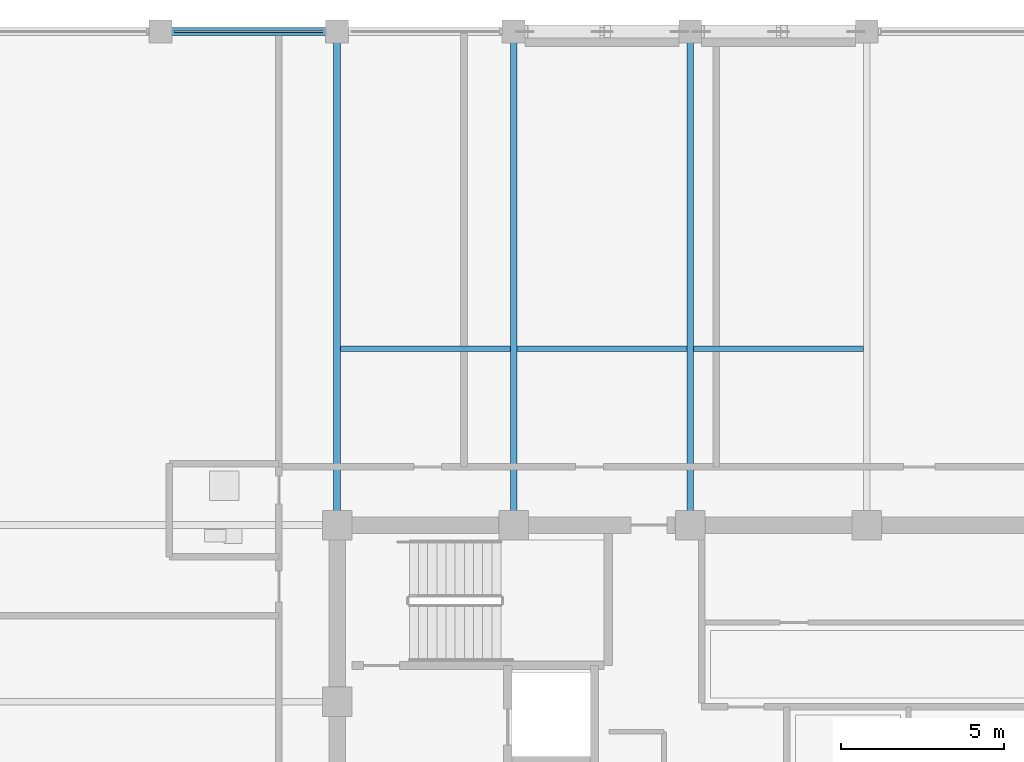
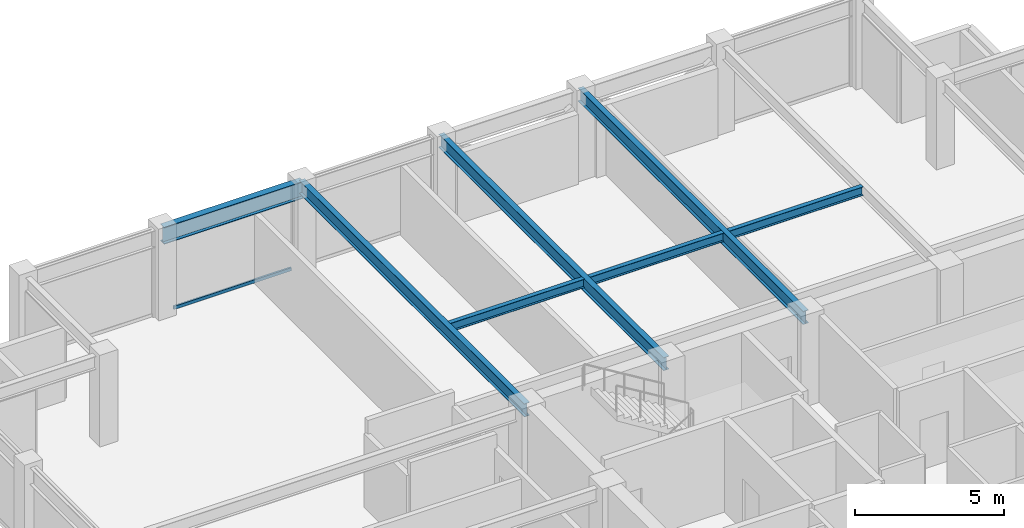
# One storey, part 15 of 29: 7 beams, 1 member, 1 element without a shape of its own.
"""IFC4 building model written with IfcOpenShell, lengths in metres."""

from ifc_helpers import new_model, si_unit, direction, frame, origin, origin_2d, place, context, subcontext, project, spatial, hollow_rectangle, i_section, extrude, material, layer, layer_set, material_profile, profile_set, type_object, element, aggregate, save


model = new_model("IFC4")

# Units and contexts
model_context = context("Model", 3, precision=1e-05, world=origin(), true_north=direction((0.0, 1.0)))
body_context = subcontext(model_context, "Body", "Model", "MODEL_VIEW")
ifc_project = project(units=[si_unit("LENGTHUNIT", "METRE"), si_unit("AREAUNIT", "SQUARE_METRE"), si_unit("VOLUMEUNIT", "CUBIC_METRE"), si_unit("PLANEANGLEUNIT", "RADIAN"), si_unit("MASSUNIT", "GRAM", prefix="KILO")], contexts=[model_context])

# Site, building, storey
site_placement = place(None, origin())
site = spatial("IfcSite", under=ifc_project, at=site_placement, CompositionType="ELEMENT")
building_placement = place(site_placement, origin())
building = spatial("IfcBuilding", under=site, at=building_placement, Name="Surkhivell Harbour Commons", CompositionType="ELEMENT")
storey_placement = place(building_placement, frame((0.0, 0.0, 277.5)))
storey = spatial("IfcBuildingStorey", under=building, at=storey_placement, Name="L72", CompositionType="ELEMENT", Elevation=277.5)

# Beams
ifc_material_1 = material(Name="Steel S355", Category="steel")
ifc_material_profile_1 = material_profile(ifc_material_1, i_section(OverallWidth=0.2099609375, OverallDepth=0.537109375, WebThickness=0.0107421875, FlangeThickness=0.017333984375, at=origin_2d()), Name="UB533x210x101")
ifc_profile_set_1 = profile_set([ifc_material_profile_1], Name="Steel S355")
beam_type_1 = type_object("IfcBeamType", Name="BM-GRD-533B", PredefinedType="BEAM", material=ifc_profile_set_1)
for number, where, z_axis, x_axis, name in (
    (1, (-10.800048828125, 10.800048828125, 3.301513671875), (0.0, 1.0, 0.0), (-1.0, 0.0, 0.0), "L72 Floor Girder (-10.8,10.8)"),
    (2, (-5.39990234375, 10.800048828125, 3.301513671875), (0.0, 1.0, 0.0), (-1.0, 0.0, 0.0), "L72 Floor Girder (-5.4,10.8)"),
    (3, (0.0, 10.800048828125, 3.301513671875), (0.0, 1.0, 0.0), (-1.0, 0.0, 0.0), "L72 Floor Girder (0.0,10.8)"),
):
    element("IfcBeam", number, at=place(storey_placement, frame(where, z_axis=z_axis, x_axis=x_axis)), inside=storey, type_object=beam_type_1, Name=name, PredefinedType="BEAM", context=body_context, shape_type="SweptSolid", body=[
        extrude(i_section(OverallWidth=0.2099609375, OverallDepth=0.537109375, WebThickness=0.0107421875, FlangeThickness=0.017333984375, at=origin_2d()), origin(), (0.0, 0.0, 1.0), 15.099853515625),
    ])
ifc_material_profile_2 = material_profile(ifc_material_1, i_section(OverallWidth=0.172119140625, OverallDepth=0.35791015625, WebThickness=0.008056640625, FlangeThickness=0.012939453125, at=origin_2d()), Name="UB356x171x57")
ifc_profile_set_2 = profile_set([ifc_material_profile_2], Name="Steel S355")
beam_type_2 = type_object("IfcBeamType", Name="BM-JST-356", PredefinedType="JOIST", material=ifc_profile_set_2)
for number, where, z_axis, x_axis, name in (
    (4, (-10.697021484375, 16.199951171875, 3.39111328125), (1.0, 0.0, 0.0), (0.0, 1.0, 0.0), "L72 North Composite Joist (-10.8)"),
    (5, (-5.297119140625, 16.199951171875, 3.39111328125), (1.0, 0.0, 0.0), (0.0, 1.0, 0.0), "L72 North Composite Joist (-5.4)"),
    (6, (0.10302734375, 16.199951171875, 3.39111328125), (1.0, 0.0, 0.0), (0.0, 1.0, 0.0), "L72 North Composite Joist (0.0)"),
):
    element("IfcBeam", number, at=place(storey_placement, frame(where, z_axis=z_axis, x_axis=x_axis)), inside=storey, type_object=beam_type_2, Name=name, PredefinedType="JOIST", context=body_context, shape_type="SweptSolid", body=[
        extrude(i_section(OverallWidth=0.172119140625, OverallDepth=0.35791015625, WebThickness=0.008056640625, FlangeThickness=0.012939453125, at=origin_2d()), origin(), (0.0, 0.0, 1.0), 5.194091796875),
    ])
ifc_material_profile_3 = material_profile(ifc_material_1, i_section(OverallWidth=0.256103515625, OverallDepth=0.693115234375, WebThickness=0.014404296875, FlangeThickness=0.023681640625, at=origin_2d()), Name="UB686x254x170")
ifc_profile_set_3 = profile_set([ifc_material_profile_3], Name="Steel S355")
beam_type_3 = type_object("IfcBeamType", Name="BM-SPN-686", PredefinedType="SPANDREL", material=ifc_profile_set_3)
beam_placement = place(storey_placement, frame((-16.199951171875, 25.89990234375, 3.223388671875), z_axis=(1.0, 0.0, 0.0), x_axis=(0.0, 1.0, 0.0)))
element("IfcBeam", 7, at=beam_placement, inside=storey, type_object=beam_type_3, Name="L72 Tube Spandrel (-16.2,25.9)", PredefinedType="SPANDREL", context=body_context, shape_type="SweptSolid", body=[
    extrude(i_section(OverallWidth=0.256103515625, OverallDepth=0.693115234375, WebThickness=0.014404296875, FlangeThickness=0.023681640625, at=origin_2d()), origin(), (0.0, 0.0, 1.0), 5.39990234375),
])

# Curtain wall, member
ifc_material_2 = material(Name="Anodised pale-metal aluminium and insulated glazing", Category="aluminium")
ifc_layer = layer(ifc_material_2, 0.175048828125)
ifc_layer_set = layer_set([ifc_layer], Name="Anodised pale-metal aluminium and insulated glazing")
curtain_wall_type = type_object("IfcCurtainWallType", Name="CW-SYS-Z4", PredefinedType="NOTDEFINED", material=ifc_layer_set)
curtain_wall_placement = place(storey_placement, origin())
curtain_wall = element("IfcCurtainWall", 8, at=curtain_wall_placement, inside=storey, type_object=curtain_wall_type, Name="L72 Curtain Wall CW-L72-E07S2", PredefinedType="NOTDEFINED")
ifc_material_3 = material(Name="Champagne anodised aluminium alloy 6063-T6", Category="aluminium")
ifc_material_profile_4 = material_profile(ifc_material_3, hollow_rectangle(XDim=0.070068359375, YDim=0.1298828125, WallThickness=0.00341796875, at=origin_2d()), Name="ALU-TRAN-70x130")
ifc_profile_set_4 = profile_set([ifc_material_profile_4], Name="Champagne anodised aluminium alloy 6063-T6")
member_type = type_object("IfcMemberType", Name="CWT-130", PredefinedType="USERDEFINED", material=ifc_profile_set_4)
member_placement = place(storey_placement, frame((-11.22705078125, 25.89990234375, 0.06494140625), z_axis=(-1.0, 0.0, 0.0), x_axis=(0.0, -1.0, 0.0)))
member = element("IfcMember", 9, at=member_placement, type_object=member_type, Name="CW-Z4 transom 2.1", ObjectType="TRANSOM", PredefinedType="USERDEFINED", context=body_context, shape_type="SweptSolid", body=[
    extrude(hollow_rectangle(XDim=0.070068359375, YDim=0.1298828125, WallThickness=0.00341796875, at=origin_2d()), origin(), (0.0, 0.0, 1.0), 4.5458984375),
])
aggregate(curtain_wall, [member])

save(model, "model.ifc")
